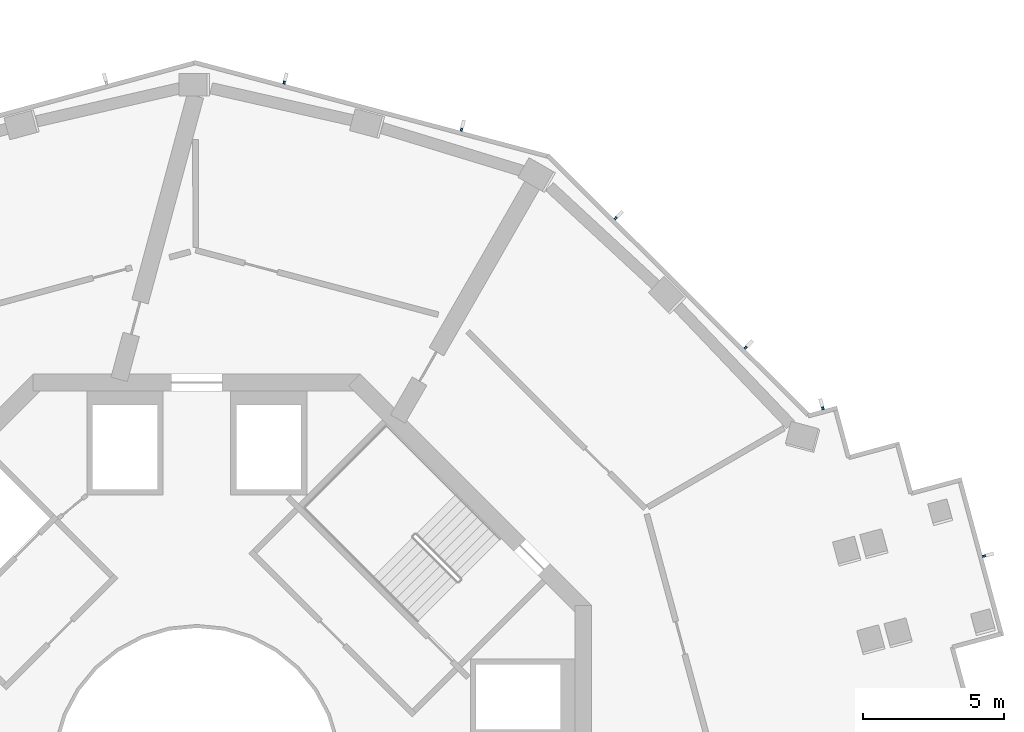
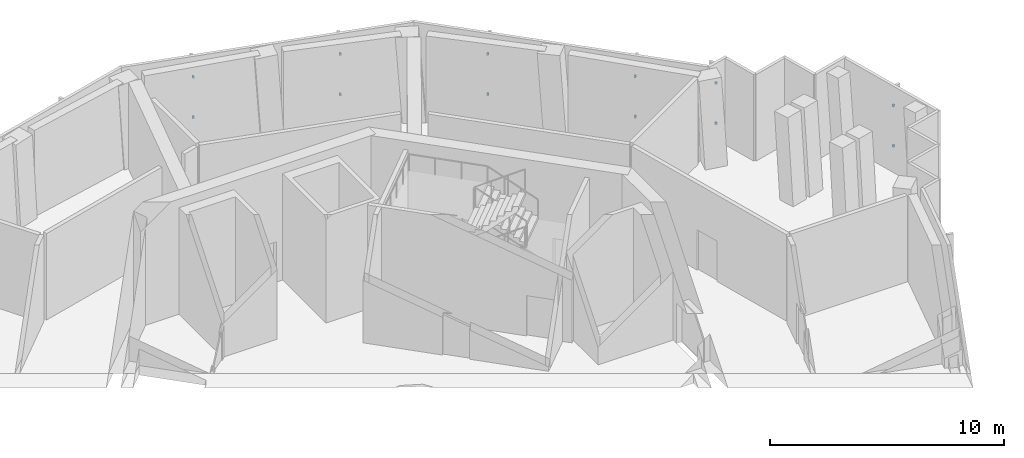
# One storey, part 10 of 16: 12 discrete accessories.
"""IFC4 building model written with IfcOpenShell, lengths in metres."""

from ifc_helpers import new_model, si_unit, direction, frame, origin, origin_2d, place, context, subcontext, project, spatial, rectangle, extrude, element, save


model = new_model("IFC4")

# Units and contexts
model_context = context("Model", 3, precision=1e-05, world=origin(), true_north=direction((0.0, 1.0)))
body_context = subcontext(model_context, "Body", "Model", "MODEL_VIEW")
ifc_project = project(units=[si_unit("LENGTHUNIT", "METRE"), si_unit("AREAUNIT", "SQUARE_METRE"), si_unit("VOLUMEUNIT", "CUBIC_METRE"), si_unit("PLANEANGLEUNIT", "RADIAN"), si_unit("MASSUNIT", "GRAM", prefix="KILO")], contexts=[model_context])

# Site, building, storey
site_placement = place(None, origin())
site = spatial("IfcSite", under=ifc_project, at=site_placement, CompositionType="ELEMENT")
building_placement = place(site_placement, origin())
building = spatial("IfcBuilding", under=site, at=building_placement, Name="Verdalira Terraces Hotel", CompositionType="ELEMENT")
storey_placement = place(building_placement, frame((0.0, 0.0, 216.0)))
storey = spatial("IfcBuildingStorey", under=building, at=storey_placement, Name="L53", CompositionType="ELEMENT", Elevation=216.0)

# Discrete accessories
for number, where, z_axis, x_axis, name in (
    (1, (27.907471, 7.540527, 1.139893), (0.0, 0.0, 1.0), (-0.260841506, 0.965381639, 0.0), "Fin bracket"),
    (2, (27.907471, 7.540527, 3.23999), (0.0, 0.0, 1.0), (-0.260841506, 0.965381639, 0.0), "Fin bracket"),
    (3, (22.192627, 12.78125, 1.139893), (0.0, 0.0, 1.0), (-0.965381639, -0.260841506, 0.0), "Fin bracket"),
    (4, (22.192627, 12.78125, 3.23999), (0.0, 0.0, 1.0), (-0.965381639, -0.260841506, 0.0), "Fin bracket"),
    (5, (19.455566, 14.931152, 1.139893), (0.0, 0.0, 1.0), (-0.70858619, 0.70562427, 0.0), "Fin bracket"),
    (6, (19.455566, 14.931152, 3.23999), (0.0, 0.0, 1.0), (-0.70858619, 0.70562427, 0.0), "Fin bracket"),
    (7, (14.849609, 19.517822, 1.139893), (0.0, 0.0, 1.0), (-0.70858619, 0.70562427, 0.0), "Fin bracket"),
    (8, (14.849609, 19.517822, 3.23999), (0.0, 0.0, 1.0), (-0.70858619, 0.70562427, 0.0), "Fin bracket"),
    (9, (9.383301, 22.658691, 1.139893), (0.0, 0.0, 1.0), (-0.966465777, 0.256795449, 0.0), "Fin bracket"),
    (10, (9.383301, 22.658691, 3.23999), (0.0, 0.0, 1.0), (-0.966465777, 0.256795449, 0.0), "Fin bracket"),
    (11, (3.101318, 24.327637, 1.139893), (0.0, 0.0, 1.0), (-0.966465777, 0.256795449, 0.0), "Fin bracket"),
    (12, (3.101318, 24.327637, 3.23999), (0.0, 0.0, 1.0), (-0.966465777, 0.256795449, 0.0), "Fin bracket"),
):
    element("IfcDiscreteAccessory", number, at=place(storey_placement, frame(where, z_axis=z_axis, x_axis=x_axis)), inside=storey, Name=name, PredefinedType="BRACKET", context=body_context, shape_type="SweptSolid", body=[
        extrude(rectangle(XDim=0.080078, YDim=0.100098, at=origin_2d()), origin(), (0.0, 0.0, 1.0), 0.120117),
    ])

save(model, "model.ifc")
